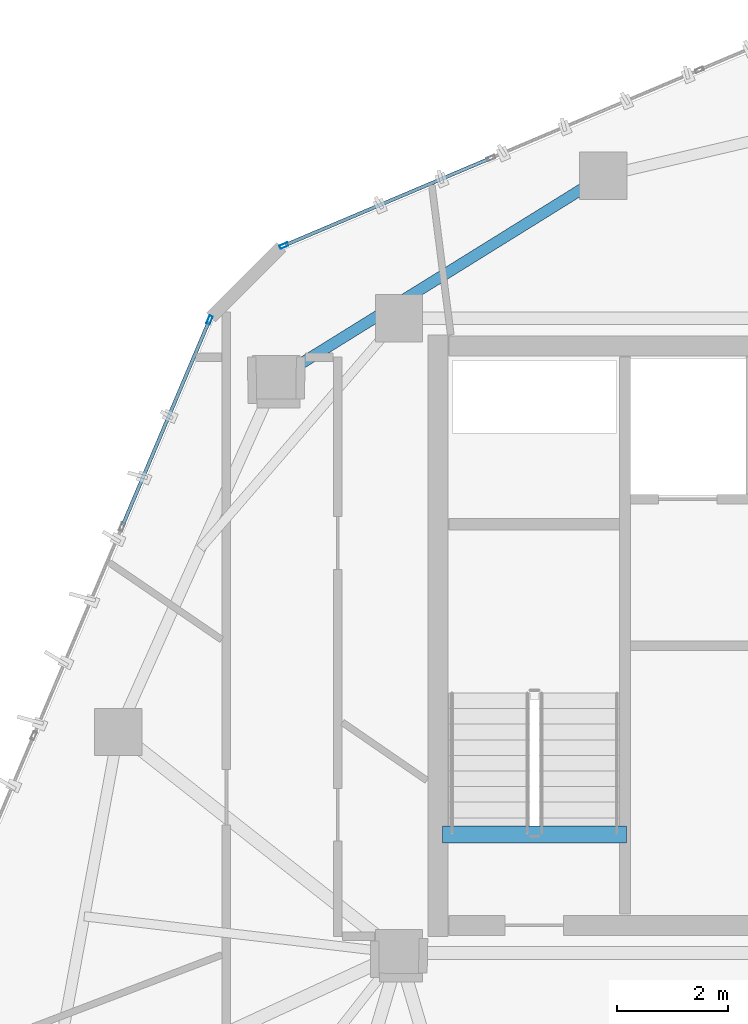
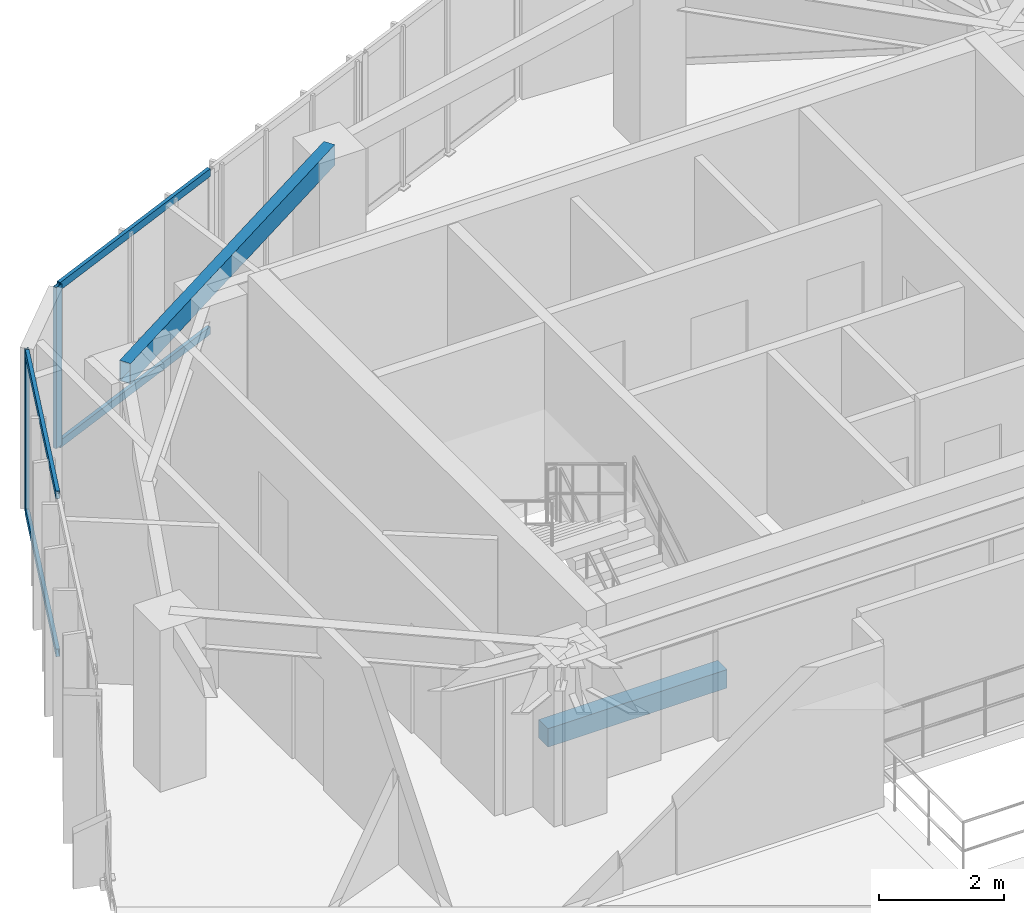
# One storey, part 9 of 20: 6 members, 2 beams, 2 elements without a shape of their own.
"""IFC4 building model written with IfcOpenShell, lengths in metres."""

from ifc_helpers import new_model, si_unit, direction, frame, origin, origin_2d, place, context, subcontext, project, spatial, rectangle, hollow_rectangle, extrude, source, transform, mapped, material, layer, layer_set, material_profile, profile_set, type_object, type_shapes, element, aggregate, save


model = new_model("IFC4")

# Units and contexts
model_context = context("Model", 3, precision=1e-05, world=origin(), true_north=direction((0.0, 1.0)))
body_context = subcontext(model_context, "Body", "Model", "MODEL_VIEW")
ifc_project = project(units=[si_unit("LENGTHUNIT", "METRE"), si_unit("AREAUNIT", "SQUARE_METRE"), si_unit("VOLUMEUNIT", "CUBIC_METRE"), si_unit("PLANEANGLEUNIT", "RADIAN"), si_unit("MASSUNIT", "GRAM", prefix="KILO")], contexts=[model_context])

# Site, building, storey
site_placement = place(None, origin())
site = spatial("IfcSite", under=ifc_project, at=site_placement, CompositionType="ELEMENT")
building_placement = place(site_placement, origin())
building = spatial("IfcBuilding", under=site, at=building_placement, Name="Talar Marvaseh", CompositionType="ELEMENT")
storey_placement = place(building_placement, frame((0.0, 0.0, 274.800048828125)))
storey = spatial("IfcBuildingStorey", under=building, at=storey_placement, Name="L73", CompositionType="ELEMENT", Elevation=274.800048828125)

# Beams
ifc_material_1 = material(Name="Concrete C40/50", Category="concrete")
ifc_material_profile_1 = material_profile(ifc_material_1, rectangle(XDim=0.300048828125, YDim=0.360107421875, at=origin_2d()), Name="RC300x360")
ifc_profile_set_1 = profile_set([ifc_material_profile_1], Name="Concrete C40/50")
beam_type_1 = type_object("IfcBeamType", Name="Concrete Stair Landing Trimmer Beam RC300x360", PredefinedType="SPANDREL", material=ifc_profile_set_1)
beam_1_placement = place(storey_placement, frame((22.780029296875, 27.6298828125, -0.179931640625), z_axis=(-1.0, 0.0, 0.0), x_axis=(0.0, -1.0, 0.0)))
element("IfcBeam", 1, at=beam_1_placement, inside=storey, type_object=beam_type_1, Name="L73 ST-1 Stair Nosing Trimmer Beam", PredefinedType="SPANDREL", context=body_context, shape_type="SweptSolid", body=[
    extrude(rectangle(XDim=0.300048828125, YDim=0.360107421875, at=origin_2d()), origin(), (0.0, 0.0, 1.0), 3.300048828125),
])
ifc_material_2 = material(Name="Steel S355", Category="steel")
ifc_material_profile_2 = material_profile(ifc_material_2, hollow_rectangle(XDim=0.199951171875, YDim=0.39990234375, WallThickness=0.013916015625, at=origin_2d()), Name="RHS400x200x14")
ifc_profile_set_2 = profile_set([ifc_material_profile_2], Name="Steel S355")
beam_type_2 = type_object("IfcBeamType", Name="Zone 3 Perimeter Spandrel Beam RHS400x200x14", PredefinedType="SPANDREL", material=ifc_profile_set_2)
beam_2_placement = place(storey_placement, frame((16.493896484375, 35.806884765625, 2.93994140625), z_axis=(0.849439811678, 0.527685518407, 0.0), x_axis=(-0.527685518407, 0.849439811678, 0.0)))
element("IfcBeam", 2, at=beam_2_placement, inside=storey, type_object=beam_type_2, Name="L73 Zone 3 Perimeter Spandrel Beam RHS400x200x14", PredefinedType="SPANDREL", context=body_context, shape_type="SweptSolid", body=[
    extrude(hollow_rectangle(XDim=0.199951171875, YDim=0.39990234375, WallThickness=0.013916015625, at=origin_2d()), origin(), (0.0, 0.0, 1.0), 6.91162109375),
])

# Curtain wall, member
ifc_material_3 = material(Name="Architectural Aluminium", Category="aluminium")
ifc_layer = layer(ifc_material_3, 0.179931640625)
ifc_layer_set = layer_set([ifc_layer], Name="Architectural Aluminium")
curtain_wall_type = type_object("IfcCurtainWallType", Name="Unitised High-Wind Sky Curtain Wall Z4", PredefinedType="NOTDEFINED", material=ifc_layer_set)
curtain_wall_1_placement = place(storey_placement, origin())
curtain_wall_1 = element("IfcCurtainWall", 3, at=curtain_wall_1_placement, inside=storey, type_object=curtain_wall_type, Name="L73 Unitised High-Wind Sky Curtain Wall Z4", PredefinedType="NOTDEFINED")
ifc_material_profile_3 = material_profile(ifc_material_3, hollow_rectangle(XDim=0.06494140625, YDim=0.14990234375, WallThickness=0.00390625, at=origin_2d()), Name="RHS150x65x4")
ifc_profile_set_3 = profile_set([ifc_material_profile_3], Name="Architectural Aluminium")
member_type_1 = type_object("IfcMemberType", Name="Unitised Curtain Wall Slim Mullion RHS150x65x4", PredefinedType="MULLION", material=ifc_profile_set_3)
shared_shape_1 = source(origin(), body_context, "Body", "SweptSolid", [
    extrude(hollow_rectangle(XDim=0.06494140625, YDim=0.14990234375, WallThickness=0.00390625, at=origin_2d()), origin(), (0.0, 0.0, 1.0), 3.139892578125),
])
type_shapes(member_type_1, [shared_shape_1])
member_1_placement = place(storey_placement, frame((15.29931640625, 36.8671875, 0.0), z_axis=(0.0, 0.0, 1.0), x_axis=(-0.92096826873, 0.389637585446, 0.0)))
member_1 = element("IfcMember", 4, at=member_1_placement, type_object=member_type_1, Name="CW-Z4 mullion 4", PredefinedType="MULLION", context=body_context, shape_type="MappedRepresentation", body=[
    mapped(shared_shape_1, transform((0.0, 0.0, 0.0), x_axis=(1.0, 0.0, 0.0), y_axis=(0.0, 1.0, 0.0), z_axis=(0.0, 0.0, 1.0), scale=1.0)),
])

curtain_wall_2_placement = place(storey_placement, origin())
curtain_wall_2 = element("IfcCurtainWall", 5, at=curtain_wall_2_placement, inside=storey, type_object=curtain_wall_type, Name="L73 Unitised High-Wind Sky Curtain Wall Z4", PredefinedType="NOTDEFINED")
member_2_placement = place(storey_placement, frame((16.6328125, 38.20068359375, 0.0), z_axis=(0.0, 0.0, 1.0), x_axis=(-0.389637585446, 0.92096826873, 0.0)))
member_2 = element("IfcMember", 6, at=member_2_placement, type_object=member_type_1, Name="CW-Z4 mullion 1", PredefinedType="MULLION", context=body_context, shape_type="MappedRepresentation", body=[
    mapped(shared_shape_1, transform((0.0, 0.0, 0.0), x_axis=(1.0, 0.0, 0.0), y_axis=(0.0, 1.0, 0.0), z_axis=(0.0, 0.0, 1.0), scale=1.0)),
])

# Member
ifc_material_profile_4 = material_profile(ifc_material_3, hollow_rectangle(XDim=0.06494140625, YDim=0.14990234375, WallThickness=0.00390625, at=origin_2d()), Name="RHS150x65x4")
ifc_profile_set_4 = profile_set([ifc_material_profile_4], Name="Architectural Aluminium")
member_type_2 = type_object("IfcMemberType", Name="Unitised Curtain Wall Slim Transom RHS150x65x4", PredefinedType="USERDEFINED", material=ifc_profile_set_4)
shared_shape_2 = source(origin(), body_context, "Body", "SweptSolid", [
    extrude(hollow_rectangle(XDim=0.06494140625, YDim=0.14990234375, WallThickness=0.00390625, at=origin_2d()), origin(), (0.0, 0.0, 1.0), 3.971435546875),
])
type_shapes(member_type_2, [shared_shape_2])
member_3_placement = place(storey_placement, frame((13.7392578125, 33.179931640625, 0.032470703125), z_axis=(0.389633974371, 0.920969796473, 0.0), x_axis=(-0.920969796473, 0.389633974371, 0.0)))
member_3 = element("IfcMember", 7, at=member_3_placement, type_object=member_type_2, Name="CW-Z4 transom 3.1", ObjectType="TRANSOM", PredefinedType="USERDEFINED", context=body_context, shape_type="MappedRepresentation", body=[
    mapped(shared_shape_2, transform((0.0, 0.0, 0.0), x_axis=(1.0, 0.0, 0.0), y_axis=(0.0, 1.0, 0.0), z_axis=(0.0, 0.0, 1.0), scale=1.0)),
])

member_4_placement = place(storey_placement, frame((13.7392578125, 33.179931640625, 3.107421875), z_axis=(0.389633974371, 0.920969796473, 0.0), x_axis=(-0.920969796473, 0.389633974371, 0.0)))
member_4 = element("IfcMember", 8, at=member_4_placement, type_object=member_type_2, Name="CW-Z4 transom 3.2", ObjectType="TRANSOM", PredefinedType="USERDEFINED", context=body_context, shape_type="MappedRepresentation", body=[
    mapped(shared_shape_2, transform((0.0, 0.0, 0.0), x_axis=(1.0, 0.0, 0.0), y_axis=(0.0, 1.0, 0.0), z_axis=(0.0, 0.0, 1.0), scale=1.0)),
])

aggregate(curtain_wall_1, [member_1, member_3, member_4])

member_5_placement = place(storey_placement, frame((16.66259765625, 38.21337890625, 0.032470703125), z_axis=(0.920969796473, 0.389633974371, 0.0), x_axis=(-0.389633974371, 0.920969796473, 0.0)))
member_5 = element("IfcMember", 9, at=member_5_placement, type_object=member_type_2, Name="CW-Z4 transom 1.1", ObjectType="TRANSOM", PredefinedType="USERDEFINED", context=body_context, shape_type="MappedRepresentation", body=[
    mapped(shared_shape_2, transform((0.0, 0.0, 0.0), x_axis=(1.0, 0.0, 0.0), y_axis=(0.0, 1.0, 0.0), z_axis=(0.0, 0.0, 1.0), scale=1.0)),
])

member_6_placement = place(storey_placement, frame((16.66259765625, 38.21337890625, 3.107421875), z_axis=(0.920969796473, 0.389633974371, 0.0), x_axis=(-0.389633974371, 0.920969796473, 0.0)))
member_6 = element("IfcMember", 10, at=member_6_placement, type_object=member_type_2, Name="CW-Z4 transom 1.2", ObjectType="TRANSOM", PredefinedType="USERDEFINED", context=body_context, shape_type="MappedRepresentation", body=[
    mapped(shared_shape_2, transform((0.0, 0.0, 0.0), x_axis=(1.0, 0.0, 0.0), y_axis=(0.0, 1.0, 0.0), z_axis=(0.0, 0.0, 1.0), scale=1.0)),
])

aggregate(curtain_wall_2, [member_2, member_5, member_6])

save(model, "model.ifc")
